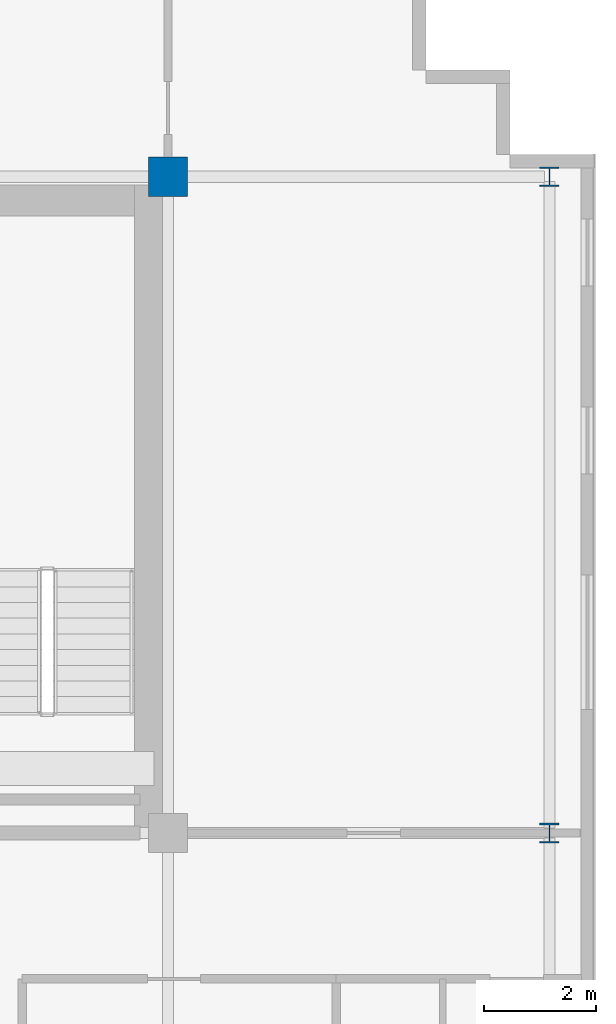
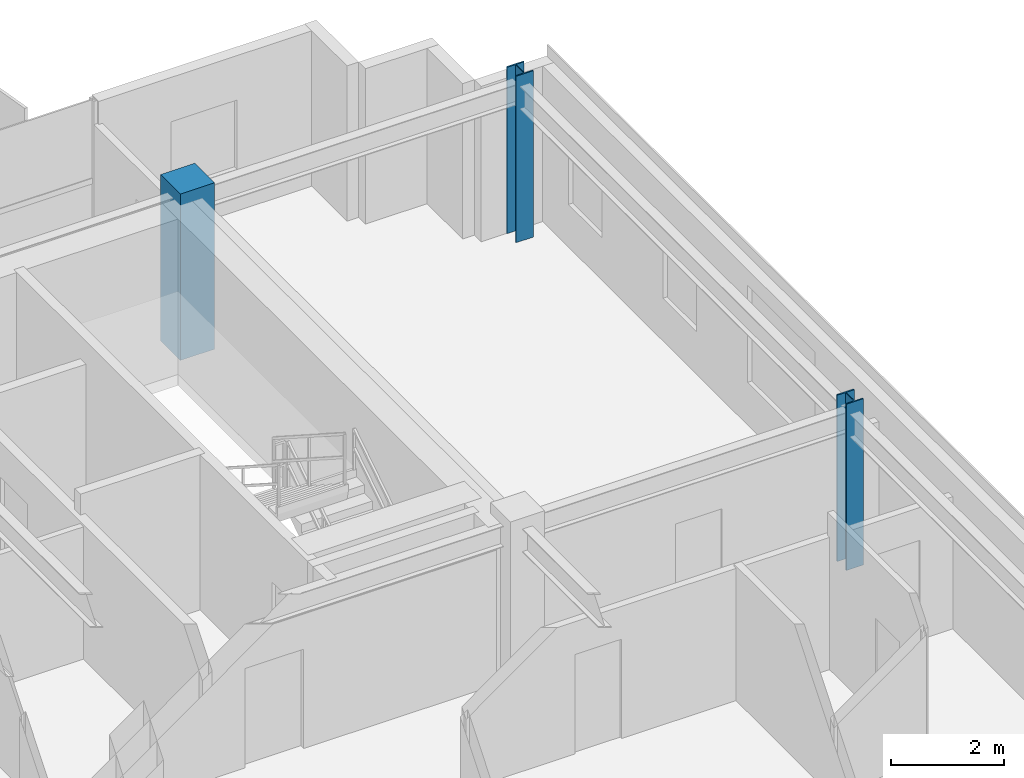
# One storey, part 4 of 34: 3 columns.
"""IFC4 building model written with IfcOpenShell, lengths in metres."""

from ifc_helpers import new_model, si_unit, direction, frame, origin, origin_2d, place, context, subcontext, project, spatial, rectangle, i_section, extrude, source, transform, mapped, material, material_profile, profile_set, type_object, element, save


model = new_model("IFC4")

# Units and contexts
model_context = context("Model", 3, precision=1e-05, world=origin(), true_north=direction((0.0, 1.0)))
body_context = subcontext(model_context, "Body", "Model", "MODEL_VIEW")
ifc_project = project(units=[si_unit("LENGTHUNIT", "METRE"), si_unit("AREAUNIT", "SQUARE_METRE"), si_unit("VOLUMEUNIT", "CUBIC_METRE"), si_unit("PLANEANGLEUNIT", "RADIAN"), si_unit("MASSUNIT", "GRAM", prefix="KILO")], contexts=[model_context])

# Site, building, storey
site_placement = place(None, origin())
site = spatial("IfcSite", under=ifc_project, at=site_placement, CompositionType="ELEMENT")
building_placement = place(site_placement, origin())
building = spatial("IfcBuilding", under=site, at=building_placement, Name="Trelvane Seafront Commons", CompositionType="ELEMENT")
storey_placement = place(building_placement, frame((0.0, 0.0, 197.699951171875)))
storey = spatial("IfcBuildingStorey", under=building, at=storey_placement, Name="L51", CompositionType="ELEMENT", Elevation=197.699951171875)

# Columns
ifc_material_1 = material(Name="Concrete C50/60", Category="concrete")
ifc_material_profile_1 = material_profile(ifc_material_1, rectangle(XDim=0.699951171875, YDim=0.699951171875, at=origin_2d()), Name="RC-700x700")
ifc_profile_set_1 = profile_set([ifc_material_profile_1], Name="Concrete C50/60")
column_type_1 = type_object("IfcColumnType", Name="STR-COL-RC700", PredefinedType="COLUMN", material=ifc_profile_set_1)
shared_shape_1 = source(origin(), body_context, "Body", "SweptSolid", [
    extrude(rectangle(XDim=0.699951171875, YDim=0.699951171875, at=origin_2d()), origin(), (0.0, 0.0, 1.0), 3.60009765625),
])
column_placement = place(storey_placement, frame((58.800048828125, 45.10009765625, 0.0), z_axis=(0.0, 0.0, 1.0), x_axis=(1.0, 0.0, 0.0)))
element("IfcColumn", 1, at=column_placement, inside=storey, type_object=column_type_1, Name="L51 Column TC-CN58.8", PredefinedType="COLUMN", context=body_context, shape_type="MappedRepresentation", body=[
    mapped(shared_shape_1, transform((0.0, 0.0, 0.0), x_axis=(1.0, 0.0, 0.0), y_axis=(0.0, 1.0, 0.0), z_axis=(0.0, 0.0, 1.0), scale=1.0)),
])
ifc_material_2 = material(Name="Steel SM355 (S355)", Category="steel")
ifc_material_profile_2 = material_profile(ifc_material_2, i_section(OverallWidth=0.35009765625, OverallDepth=0.35009765625, WebThickness=0.01806640625, FlangeThickness=0.028076171875, at=origin_2d()), Name="HD-350x350x18x28")
ifc_profile_set_2 = profile_set([ifc_material_profile_2], Name="Steel SM355 (S355)")
column_type_2 = type_object("IfcColumnType", Name="STR-COL-HD350", PredefinedType="COLUMN", material=ifc_profile_set_2)
shared_shape_2 = source(origin(), body_context, "Body", "SweptSolid", [
    extrude(i_section(OverallWidth=0.35009765625, OverallDepth=0.35009765625, WebThickness=0.01806640625, FlangeThickness=0.028076171875, at=origin_2d()), origin(), (0.0, 0.0, 1.0), 3.60009765625),
])
for number, where, z_axis, x_axis, name in (
    (2, (65.60009765625, 33.39990234375, 0.0), (0.0, 0.0, 1.0), (1.0, 0.0, 0.0), "L51 Column TC-CS65.6"),
    (3, (65.60009765625, 45.10009765625, 0.0), (0.0, 0.0, 1.0), (1.0, 0.0, 0.0), "L51 Column TC-CN65.6"),
):
    element("IfcColumn", number, at=place(storey_placement, frame(where, z_axis=z_axis, x_axis=x_axis)), inside=storey, type_object=column_type_2, Name=name, PredefinedType="COLUMN", context=body_context, shape_type="MappedRepresentation", body=[
        mapped(shared_shape_2, transform((0.0, 0.0, 0.0), x_axis=(1.0, 0.0, 0.0), y_axis=(0.0, 1.0, 0.0), z_axis=(0.0, 0.0, 1.0), scale=1.0)),
    ])

save(model, "model.ifc")
